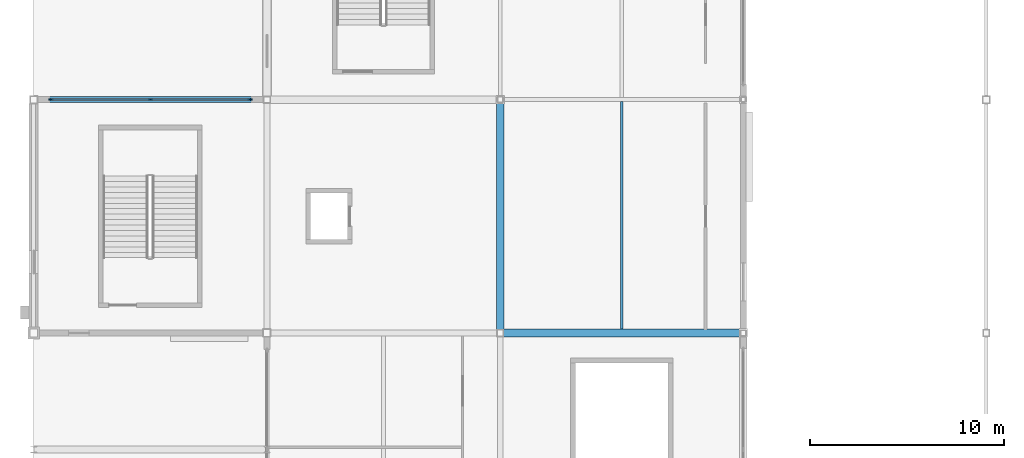
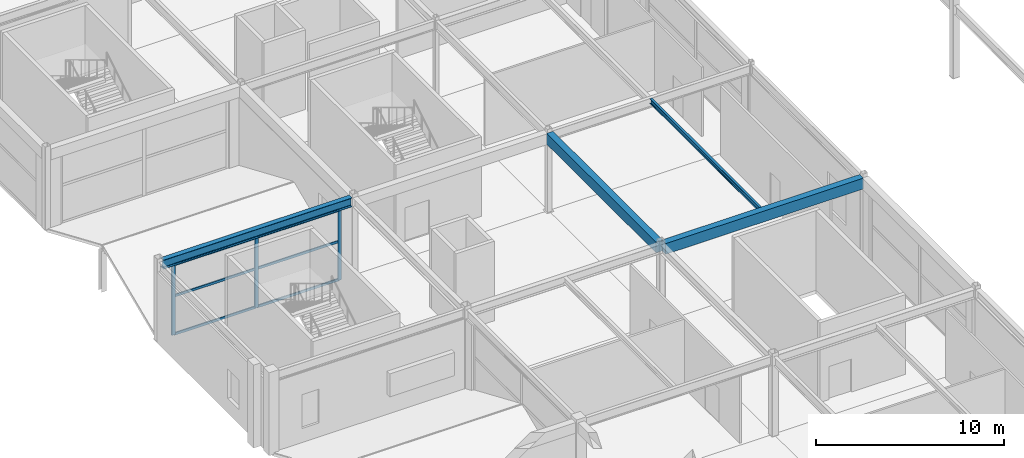
# One storey, part 35 of 105: 9 members, 4 beams, 1 element without a shape of its own.
"""IFC4 building model written with IfcOpenShell, lengths in metres."""

import ifcopenshell
import ifcopenshell.guid

model = None  # the IFC model being written
_history = None  # IfcOwnerHistory: only IFC2X3 demands one
_inside = {}  # id of a spatial element -> (the spatial element, [elements in it])
_under = {}  # id of a project, library or spatial element -> (it, [spatial elements below it])
_declared = {}  # id of a project -> (the project, [libraries it declares])
_typed = {}  # id of a type object -> (the type object, [elements of that type])
_made_of = {}  # id of a material, layer set ... -> (it, [elements and type objects made of it])


def new_model(schema):
    """Start an empty IFC model of exactly this schema.

    Asked for "IFC4X3", IfcOpenShell would pick the latest addendum, in which some entities
    have other attributes; the version numbers below select the first issue.
    IFC2X3 requires an IfcOwnerHistory on every rooted entity: one is made here for all.
    """
    global model, _history
    if schema == "IFC4X3":
        model = ifcopenshell.file(schema_version=(4, 3, 0, 0))
    else:
        model = ifcopenshell.file(schema=schema)
    _inside.clear()
    _under.clear()
    _declared.clear()
    _typed.clear()
    _made_of.clear()
    _history = None
    if model.schema == "IFC2X3":
        org = make("IfcOrganization", Name="unknown")
        user = make(
            "IfcPersonAndOrganization",
            ThePerson=make("IfcPerson", FamilyName="unknown"),
            TheOrganization=org,
        )
        app = make(
            "IfcApplication",
            ApplicationDeveloper=org,
            Version="unknown",
            ApplicationFullName="unknown",
            ApplicationIdentifier="unknown",
        )
        _history = make(
            "IfcOwnerHistory",
            OwningUser=user,
            OwningApplication=app,
            ChangeAction="ADDED",
            CreationDate=0,
        )
    return model


def make(cls, **values):
    """One entity of the class cls with the attributes given. An attribute that is None is left unset."""
    return model.create_entity(
        cls, **{name: value for name, value in values.items() if value is not None}
    )


def rooted(cls, **values):
    """An entity with a GlobalId (a new one), such as an element, a storey or a relation."""
    return make(cls, GlobalId=ifcopenshell.guid.new(), OwnerHistory=_history, **values)


def si_unit(unit_type, name, prefix=None):
    """IfcSIUnit, for example si_unit("LENGTHUNIT", "METRE", prefix="MILLI")."""
    return make("IfcSIUnit", UnitType=unit_type, Prefix=prefix, Name=name)


def assignment(units):
    """IfcUnitAssignment: the units of a project."""
    return None if units is None else make("IfcUnitAssignment", Units=units)


def point(xyz):
    """IfcCartesianPoint."""
    return None if xyz is None else make("IfcCartesianPoint", Coordinates=xyz)


def direction(xyz):
    """IfcDirection."""
    return None if xyz is None else make("IfcDirection", DirectionRatios=xyz)


def frame(location, z_axis=None, x_axis=None):
    """IfcAxis2Placement3D, a coordinate frame: its origin and axes. An axis left out is left unset."""
    return make(
        "IfcAxis2Placement3D",
        Location=point(location),
        Axis=direction(z_axis),
        RefDirection=direction(x_axis),
    )


def frame_2d(location, x_axis=None):
    """IfcAxis2Placement2D, a coordinate frame in the plane: its origin and x axis."""
    return make(
        "IfcAxis2Placement2D", Location=point(location), RefDirection=direction(x_axis)
    )


def origin():
    """The frame at (0, 0, 0) with its axes left unset."""
    return frame((0.0, 0.0, 0.0))


def origin_2d():
    """The frame at (0, 0) in the plane with its x axis left unset."""
    return frame_2d((0.0, 0.0))


def place(relative_to, where):
    """IfcLocalPlacement: puts the frame where relative to a parent placement (None: the world)."""
    return make(
        "IfcLocalPlacement", PlacementRelTo=relative_to, RelativePlacement=where
    )


def context(
    kind, dimensions, precision=None, world=None, true_north=None, identifier=None
):
    """IfcGeometricRepresentationContext, for example the 3D "Model" context."""
    return make(
        "IfcGeometricRepresentationContext",
        ContextIdentifier=identifier,
        ContextType=kind,
        CoordinateSpaceDimension=dimensions,
        Precision=precision,
        WorldCoordinateSystem=world,
        TrueNorth=true_north,
    )


def subcontext(parent, identifier, kind, view, scale=None):
    """IfcGeometricRepresentationSubContext, for example "Body" below "Model"."""
    return make(
        "IfcGeometricRepresentationSubContext",
        ContextIdentifier=identifier,
        ContextType=kind,
        ParentContext=parent,
        TargetScale=scale,
        TargetView=view,
    )


def project(units=None, contexts=None):
    """IfcProject with its units and contexts."""
    return rooted(
        "IfcProject",
        Name="project",
        RepresentationContexts=contexts,
        UnitsInContext=assignment(units),
    )


def spatial(cls, under=None, at=None, **own):
    """A site, building, storey or space (cls), placed at a placement, below another one or the project."""
    s = rooted(cls, ObjectPlacement=at, **own)
    if under is not None:
        _under.setdefault(under.id(), (under, []))[1].append(s)
    return s


def profile(cls, at=None, kind="AREA", **sizes):
    """A parametric profile (cls). Its sizes go by their IFC names, for example OverallWidth=200.0."""
    return make(cls, ProfileType=kind, Position=at, **sizes)


def rectangle(**sizes):
    """IfcRectangleProfileDef."""
    return profile("IfcRectangleProfileDef", **sizes)


def i_section(**sizes):
    """IfcIShapeProfileDef."""
    return profile("IfcIShapeProfileDef", **sizes)


def extrude(swept, where, along, depth):
    """IfcExtrudedAreaSolid: the profile swept, set in the frame where, extruded along a direction by depth."""
    return make(
        "IfcExtrudedAreaSolid",
        SweptArea=swept,
        Position=where,
        ExtrudedDirection=direction(along),
        Depth=depth,
    )


def shape(context_of_items, identifier, shape_type, items):
    """IfcShapeRepresentation: the items that make up one representation, for example the "Body"."""
    return make(
        "IfcShapeRepresentation",
        ContextOfItems=context_of_items,
        RepresentationIdentifier=identifier,
        RepresentationType=shape_type,
        Items=items,
    )


def material(Name=None, Category=None):
    """IfcMaterial."""
    return make("IfcMaterial", Name=Name, Category=Category)


def layer(
    of_material, thickness, ventilated=None, Name=None, Category=None, Priority=None
):
    """IfcMaterialLayer: one layer of a wall or slab, of a material (None: an air gap)."""
    return make(
        "IfcMaterialLayer",
        Material=of_material,
        LayerThickness=thickness,
        IsVentilated=ventilated,
        Name=Name,
        Category=Category,
        Priority=Priority,
    )


def layer_set(layers, Name=None):
    """IfcMaterialLayerSet."""
    return make("IfcMaterialLayerSet", MaterialLayers=layers, LayerSetName=Name)


def material_profile(
    of_material, cross_section, Name=None, Category=None, Priority=None
):
    """IfcMaterialProfile: a cross section and its material."""
    return make(
        "IfcMaterialProfile",
        Name=Name,
        Material=of_material,
        Profile=cross_section,
        Priority=Priority,
        Category=Category,
    )


def profile_set(profiles, Name=None, composite=None):
    """IfcMaterialProfileSet."""
    return make(
        "IfcMaterialProfileSet",
        Name=Name,
        MaterialProfiles=profiles,
        CompositeProfile=composite,
    )


def made_of(thing, what):
    """Note that an element or type object is made of a material, layer set ...; save() writes the relation."""
    if what is not None:
        _made_of.setdefault(what.id(), (what, []))[1].append(thing)
    return thing


def type_object(cls, material=None, **own):
    """A type object (cls), such as IfcWallType, which elements share."""
    return made_of(rooted(cls, **own), material)


def element(
    cls,
    number,
    at=None,
    inside=None,
    cuts=None,
    type_object=None,
    material=None,
    context=None,
    identifier="Body",
    shape_type=None,
    held_by="IfcProductDefinitionShape",
    body=None,
    shapes=None,
    **own,
):
    """One element of the class cls, such as IfcWall. Its Tag is "e" and its number.

    at: its placement. inside: the storey or other place that contains it. cuts: it is an
    opening in that element (IfcRelVoidsElement). A single representation is given by context,
    identifier, shape_type and body (its items); several are given by shapes. held_by: the class
    of the entity that holds the representations. save() writes the other relations.
    """
    e = rooted(cls, Tag="e%d" % number, ObjectPlacement=at, **own)
    if body is not None:
        shapes = [shape(context, identifier, shape_type, body)]
    if shapes is not None:
        e.Representation = make(held_by, Representations=shapes)
    if inside is not None:
        _inside.setdefault(inside.id(), (inside, []))[1].append(e)
    if cuts is not None:
        rooted(
            "IfcRelVoidsElement", RelatingBuildingElement=cuts, RelatedOpeningElement=e
        )
    if type_object is not None:
        _typed.setdefault(type_object.id(), (type_object, []))[1].append(e)
    return made_of(e, material)


def aggregate(whole, parts):
    """IfcRelAggregates: a whole, such as a stair, and the parts it consists of."""
    return rooted("IfcRelAggregates", RelatingObject=whole, RelatedObjects=parts)


def save(model, path):
    """Write the relations noted so far, then the file.

    IfcRelAggregates (storeys below a building ...), IfcRelContainedInSpatialStructure (elements
    in a storey), IfcRelDefinesByType, IfcRelAssociatesMaterial and IfcRelDeclares: one each for
    every whole, place, type object, material and project.
    """
    for whole, parts in _under.values():
        aggregate(whole, parts)
    for where, things in _inside.values():
        rooted(
            "IfcRelContainedInSpatialStructure",
            RelatedElements=things,
            RelatingStructure=where,
        )
    for kind, things in _typed.values():
        rooted("IfcRelDefinesByType", RelatedObjects=things, RelatingType=kind)
    for what, things in _made_of.values():
        rooted("IfcRelAssociatesMaterial", RelatedObjects=things, RelatingMaterial=what)
    for by, libraries in _declared.values():
        rooted("IfcRelDeclares", RelatingContext=by, RelatedDefinitions=libraries)
    model.write(path)


model = new_model("IFC4")

# Units and contexts
model_context = context("Model", 3, precision=1e-05, world=origin(), true_north=direction((0.0, 1.0)))
body_context = subcontext(model_context, "Body", "Model", "MODEL_VIEW")
ifc_project = project(units=[si_unit("LENGTHUNIT", "METRE"), si_unit("AREAUNIT", "SQUARE_METRE"), si_unit("VOLUMEUNIT", "CUBIC_METRE"), si_unit("PLANEANGLEUNIT", "RADIAN"), si_unit("MASSUNIT", "GRAM", prefix="KILO")], contexts=[model_context])

# Site, building, storey
site_placement = place(None, origin())
site = spatial("IfcSite", under=ifc_project, at=site_placement, CompositionType="ELEMENT")
building_placement = place(site_placement, origin())
building = spatial("IfcBuilding", under=site, at=building_placement, Name="Kazenohara Klinker Stadium", CompositionType="ELEMENT")
storey_placement = place(building_placement, frame((0.0, 0.0, 20.39990234375)))
storey = spatial("IfcBuildingStorey", under=building, at=storey_placement, Name="L04", CompositionType="ELEMENT", Elevation=20.39990234375)

# Beams
ifc_material_1 = material(Name="Steel S355", Category="steel")
ifc_material_profile_1 = material_profile(ifc_material_1, i_section(OverallWidth=0.14990234375, OverallDepth=0.300048828125, WebThickness=0.006591796875, FlangeThickness=0.009033203125, FilletRadius=0.012939453125, at=origin_2d()), Name="H-300x150x6.5x9")
ifc_profile_set_1 = profile_set([ifc_material_profile_1], Name="Steel S355")
beam_type_1 = type_object("IfcBeamType", Name="BM-JST05", PredefinedType="JOIST", material=ifc_profile_set_1)
beam_1_placement = place(storey_placement, frame((30.25, 84.199951171875, 5.030029296875), z_axis=(0.0, 1.0, 0.0), x_axis=(-1.0, 0.0, 0.0)))
element("IfcBeam", 1, at=beam_1_placement, inside=storey, type_object=beam_type_1, Name="Secondary floor joist SJ05 L04 3/H", PredefinedType="JOIST", context=body_context, shape_type="SweptSolid", body=[
    extrude(i_section(OverallWidth=0.14990234375, OverallDepth=0.300048828125, WebThickness=0.006591796875, FlangeThickness=0.009033203125, FilletRadius=0.012939453125, at=origin_2d()), origin(), (0.0, 0.0, 1.0), 11.699951171875),
])
ifc_material_2 = material(Name="Concrete C40/50", Category="concrete")
ifc_material_profile_2 = material_profile(ifc_material_2, rectangle(XDim=0.39990234375, YDim=0.699951171875, at=origin_2d()), Name="RC-BM-400x700")
ifc_profile_set_2 = profile_set([ifc_material_profile_2], Name="Concrete C40/50")
beam_type_2 = type_object("IfcBeamType", Name="BM-RC04", PredefinedType="BEAM", material=ifc_profile_set_2)
beam_2_placement = place(storey_placement, frame((24.175048828125, 84.0, 4.830078125), z_axis=(1.0, 0.0, 0.0), x_axis=(0.0, 1.0, 0.0)))
element("IfcBeam", 2, at=beam_2_placement, inside=storey, type_object=beam_type_2, Name="Primary girder BG04 L04 3-4/H", PredefinedType="BEAM", context=body_context, shape_type="SweptSolid", body=[
    extrude(rectangle(XDim=0.39990234375, YDim=0.699951171875, at=origin_2d()), origin(), (0.0, 0.0, 1.0), 12.175048828125),
])
beam_3_placement = place(storey_placement, frame((24.0, 84.175048828125, 4.830078125), z_axis=(0.0, 1.0, 0.0), x_axis=(-1.0, 0.0, 0.0)))
element("IfcBeam", 3, at=beam_3_placement, inside=storey, type_object=beam_type_2, Name="Primary girder BG04 L04 3/H-J", PredefinedType="BEAM", context=body_context, shape_type="SweptSolid", body=[
    extrude(rectangle(XDim=0.39990234375, YDim=0.699951171875, at=origin_2d()), origin(), (0.0, 0.0, 1.0), 11.675048828125),
])
ifc_material_profile_3 = material_profile(ifc_material_1, i_section(OverallWidth=0.300048828125, OverallDepth=0.587890625, WebThickness=0.011962890625, FlangeThickness=0.02001953125, FilletRadius=0.02197265625, at=origin_2d()), Name="H-588x300x12x20")
ifc_profile_set_3 = profile_set([ifc_material_profile_3], Name="Steel S355")
beam_type_3 = type_object("IfcBeamType", Name="BM-ST05", PredefinedType="BEAM", material=ifc_profile_set_3)
beam_4_placement = place(storey_placement, frame((0.199951171875, 96.0, 4.885986328125), z_axis=(1.0, 0.0, 0.0), x_axis=(0.0, 1.0, 0.0)))
element("IfcBeam", 4, at=beam_4_placement, inside=storey, type_object=beam_type_3, Name="Primary girder SB05 L04 1-2/J", PredefinedType="BEAM", context=body_context, shape_type="SweptSolid", body=[
    extrude(i_section(OverallWidth=0.300048828125, OverallDepth=0.587890625, WebThickness=0.011962890625, FlangeThickness=0.02001953125, FilletRadius=0.02197265625, at=origin_2d()), origin(), (0.0, 0.0, 1.0), 11.625),
])

# Curtain wall, members
ifc_material_3 = material(Name="Anodised aluminium and triple glazing", Category="aluminium")
ifc_layer = layer(ifc_material_3, 0.169921875)
ifc_layer_set = layer_set([ifc_layer], Name="Anodised aluminium and triple glazing")
curtain_wall_type = type_object("IfcCurtainWallType", Name="CW-SYS-04", PredefinedType="USERDEFINED", material=ifc_layer_set)
curtain_wall_placement = place(storey_placement, origin())
curtain_wall = element("IfcCurtainWall", 5, at=curtain_wall_placement, inside=storey, type_object=curtain_wall_type, Name="Unitised facade curtain wall CW04 L04 X0-8", ObjectType="UNITISED CURTAIN WALL", PredefinedType="USERDEFINED")
ifc_material_4 = material(Name="Anodised aluminium 6063-T6", Category="aluminium")
ifc_material_profile_4 = material_profile(ifc_material_4, rectangle(XDim=0.074951171875, YDim=0.219970703125, at=origin_2d()), Name="ALU-MUL-75x220")
ifc_profile_set_4 = profile_set([ifc_material_profile_4], Name="Anodised aluminium 6063-T6")
member_type_1 = type_object("IfcMemberType", Name="CW-MUL-220", PredefinedType="MULLION", material=ifc_profile_set_4)
member_1_placement = place(storey_placement, frame((0.8916015625, 96.0, 0.0), z_axis=(0.0, 0.0, 1.0), x_axis=(0.0, 1.0, 0.0)))
member_1 = element("IfcMember", 6, at=member_1_placement, type_object=member_type_1, Name="CW04 mullion 1", PredefinedType="MULLION", context=body_context, shape_type="SweptSolid", body=[
    extrude(rectangle(XDim=0.074951171875, YDim=0.219970703125, at=origin_2d()), origin(), (0.0, 0.0, 1.0), 4.592041015625),
])
member_2_placement = place(storey_placement, frame((6.012451171875, 96.0, 0.0), z_axis=(0.0, 0.0, 1.0), x_axis=(0.0, 1.0, 0.0)))
member_2 = element("IfcMember", 7, at=member_2_placement, type_object=member_type_1, Name="CW04 mullion 2", PredefinedType="MULLION", context=body_context, shape_type="SweptSolid", body=[
    extrude(rectangle(XDim=0.074951171875, YDim=0.219970703125, at=origin_2d()), origin(), (0.0, 0.0, 1.0), 4.592041015625),
])
member_3_placement = place(storey_placement, frame((11.133544921875, 96.0, 0.0), z_axis=(0.0, 0.0, 1.0), x_axis=(0.0, 1.0, 0.0)))
member_3 = element("IfcMember", 8, at=member_3_placement, type_object=member_type_1, Name="CW04 mullion 3", PredefinedType="MULLION", context=body_context, shape_type="SweptSolid", body=[
    extrude(rectangle(XDim=0.074951171875, YDim=0.219970703125, at=origin_2d()), origin(), (0.0, 0.0, 1.0), 4.592041015625),
])
ifc_material_profile_5 = material_profile(ifc_material_4, rectangle(XDim=0.074951171875, YDim=0.159912109375, at=origin_2d()), Name="ALU-TRN-75x160")
ifc_profile_set_5 = profile_set([ifc_material_profile_5], Name="Anodised aluminium 6063-T6")
member_type_2 = type_object("IfcMemberType", Name="CW-TRN-160", PredefinedType="USERDEFINED", material=ifc_profile_set_5)
member_4_placement = place(storey_placement, frame((0.928955078125, 96.0, 0.03759765625), z_axis=(1.0, 0.0, 0.0), x_axis=(0.0, 1.0, 0.0)))
member_4 = element("IfcMember", 9, at=member_4_placement, type_object=member_type_2, Name="CW04 transom 1.1", ObjectType="TRANSOM", PredefinedType="USERDEFINED", context=body_context, shape_type="SweptSolid", body=[
    extrude(rectangle(XDim=0.074951171875, YDim=0.159912109375, at=origin_2d()), origin(), (0.0, 0.0, 1.0), 5.046142578125),
])
member_5_placement = place(storey_placement, frame((0.928955078125, 96.0, 2.525634765625), z_axis=(1.0, 0.0, 0.0), x_axis=(0.0, 1.0, 0.0)))
member_5 = element("IfcMember", 10, at=member_5_placement, type_object=member_type_2, Name="CW04 transom 1.2", ObjectType="TRANSOM", PredefinedType="USERDEFINED", context=body_context, shape_type="SweptSolid", body=[
    extrude(rectangle(XDim=0.074951171875, YDim=0.159912109375, at=origin_2d()), origin(), (0.0, 0.0, 1.0), 5.046142578125),
])
member_6_placement = place(storey_placement, frame((0.928955078125, 96.0, 4.5546875), z_axis=(1.0, 0.0, 0.0), x_axis=(0.0, 1.0, 0.0)))
member_6 = element("IfcMember", 11, at=member_6_placement, type_object=member_type_2, Name="CW04 transom 1.3", ObjectType="TRANSOM", PredefinedType="USERDEFINED", context=body_context, shape_type="SweptSolid", body=[
    extrude(rectangle(XDim=0.074951171875, YDim=0.159912109375, at=origin_2d()), origin(), (0.0, 0.0, 1.0), 5.046142578125),
])
member_7_placement = place(storey_placement, frame((6.050048828125, 96.0, 0.03759765625), z_axis=(1.0, 0.0, 0.0), x_axis=(0.0, 1.0, 0.0)))
member_7 = element("IfcMember", 12, at=member_7_placement, type_object=member_type_2, Name="CW04 transom 2.1", ObjectType="TRANSOM", PredefinedType="USERDEFINED", context=body_context, shape_type="SweptSolid", body=[
    extrude(rectangle(XDim=0.074951171875, YDim=0.159912109375, at=origin_2d()), origin(), (0.0, 0.0, 1.0), 5.0458984375),
])
member_8_placement = place(storey_placement, frame((6.050048828125, 96.0, 2.525634765625), z_axis=(1.0, 0.0, 0.0), x_axis=(0.0, 1.0, 0.0)))
member_8 = element("IfcMember", 13, at=member_8_placement, type_object=member_type_2, Name="CW04 transom 2.2", ObjectType="TRANSOM", PredefinedType="USERDEFINED", context=body_context, shape_type="SweptSolid", body=[
    extrude(rectangle(XDim=0.074951171875, YDim=0.159912109375, at=origin_2d()), origin(), (0.0, 0.0, 1.0), 5.0458984375),
])
member_9_placement = place(storey_placement, frame((6.050048828125, 96.0, 4.5546875), z_axis=(1.0, 0.0, 0.0), x_axis=(0.0, 1.0, 0.0)))
member_9 = element("IfcMember", 14, at=member_9_placement, type_object=member_type_2, Name="CW04 transom 2.3", ObjectType="TRANSOM", PredefinedType="USERDEFINED", context=body_context, shape_type="SweptSolid", body=[
    extrude(rectangle(XDim=0.074951171875, YDim=0.159912109375, at=origin_2d()), origin(), (0.0, 0.0, 1.0), 5.0458984375),
])
aggregate(curtain_wall, [member_1, member_2, member_3, member_4, member_5, member_6, member_7, member_8, member_9])

save(model, "model.ifc")
